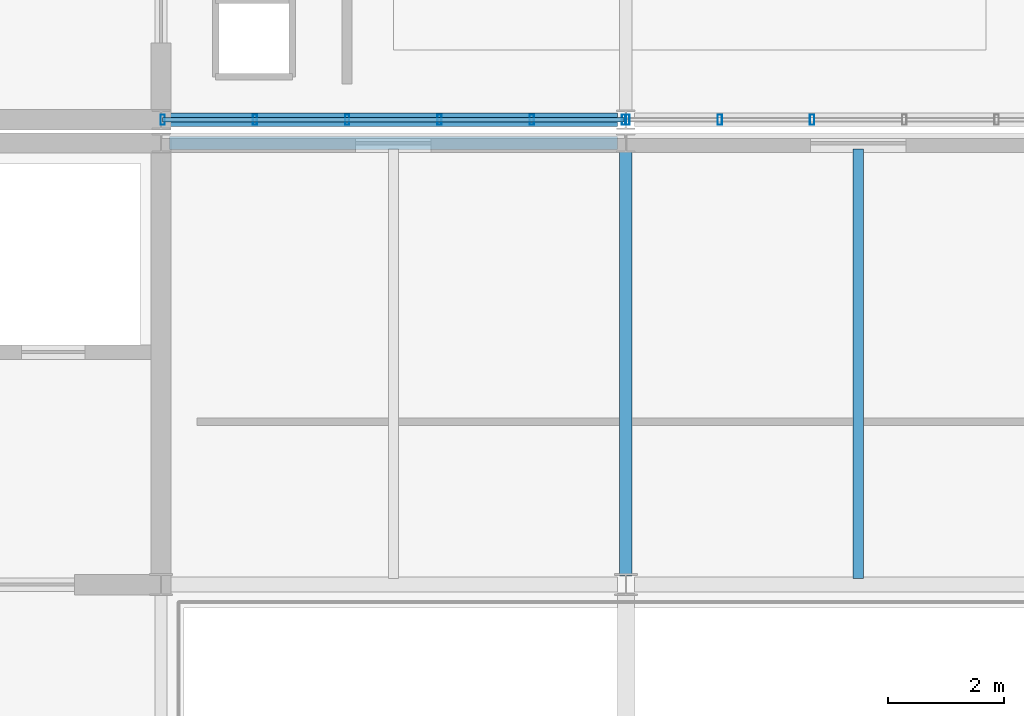
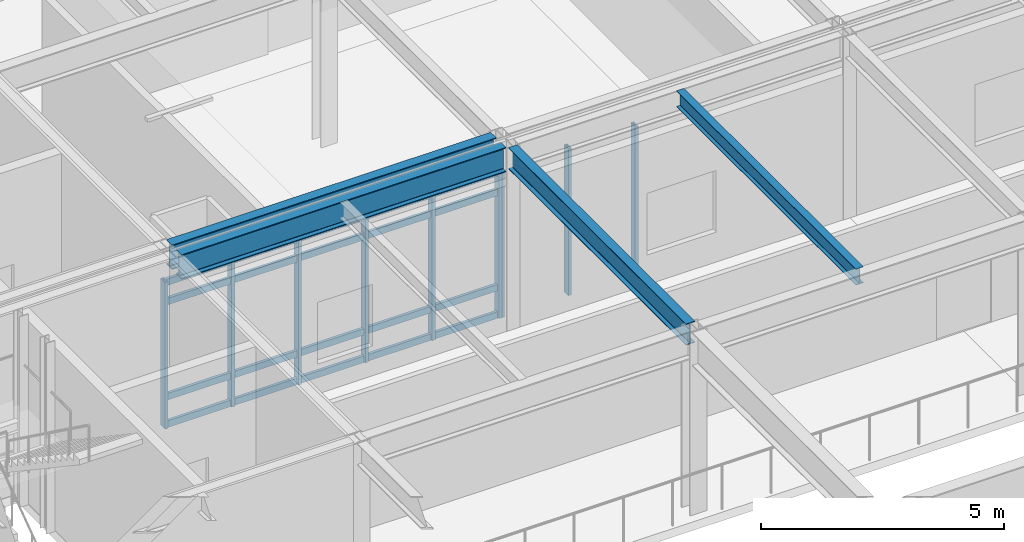
# One storey, part 62 of 104: 13 members, 4 beams, 2 elements without a shape of their own.
"""IFC4 building model written with IfcOpenShell, lengths in metres."""

from ifc_helpers import new_model, si_unit, direction, frame, origin, origin_2d, place, context, subcontext, project, spatial, hollow_rectangle, i_section, extrude, material, material_profile, profile_set, type_object, element, aggregate, save


model = new_model("IFC4")

# Units and contexts
model_context = context("Model", 3, precision=1e-05, world=origin(), true_north=direction((0.0, 1.0)))
body_context = subcontext(model_context, "Body", "Model", "MODEL_VIEW")
ifc_project = project(units=[si_unit("LENGTHUNIT", "METRE"), si_unit("AREAUNIT", "SQUARE_METRE"), si_unit("VOLUMEUNIT", "CUBIC_METRE"), si_unit("PLANEANGLEUNIT", "RADIAN"), si_unit("MASSUNIT", "GRAM", prefix="KILO")], contexts=[model_context])

# Site, building, storey
site_placement = place(None, origin())
site = spatial("IfcSite", under=ifc_project, at=site_placement, CompositionType="ELEMENT")
building_placement = place(site_placement, origin())
building = spatial("IfcBuilding", under=site, at=building_placement, Name="Zulena Civic Courthouse", CompositionType="ELEMENT")
storey_placement = place(building_placement, frame((0.0, 0.0, 10.800048828125)))
storey = spatial("IfcBuildingStorey", under=building, at=storey_placement, Name="L02", CompositionType="ELEMENT", Elevation=10.800048828125)

# Curtain wall, members
ifc_material_1 = material(Name="Double-silver low-E laminated solar-control glass", Category="glass")
curtain_wall_type = type_object("IfcCurtainWallType", Name="CW_7940x3690", PredefinedType="USERDEFINED", material=ifc_material_1)
curtain_wall_1_placement = place(storey_placement, origin())
curtain_wall_1 = element("IfcCurtainWall", 1, at=curtain_wall_1_placement, inside=storey, type_object=curtain_wall_type, Name="cw:V3:L02:3:3", ObjectType="UNITISED CURTAIN WALL", PredefinedType="USERDEFINED")
ifc_material_2 = material(Name="Bronze anodised thermally broken aluminium AA6063-T6", Category="aluminium")
ifc_material_profile_1 = material_profile(ifc_material_2, hollow_rectangle(XDim=0.074951171875, YDim=0.179931640625, WallThickness=0.0048828125, at=origin_2d()), Name="CWM180X75X5")
ifc_profile_set_1 = profile_set([ifc_material_profile_1], Name="Bronze anodised thermally broken aluminium AA6063-T6")
member_type_1 = type_object("IfcMemberType", Name="CWMullion_180x75", PredefinedType="MULLION", material=ifc_profile_set_1)
member_1_placement = place(storey_placement, frame((143.2060546875, 30.800048828125, 0.0), z_axis=(0.0, 0.0, 1.0), x_axis=(1.0, 0.0, 0.0)))
member_1 = element("IfcMember", 2, at=member_1_placement, type_object=member_type_1, Name="cw:V3:L02:3:3:mull:3", PredefinedType="MULLION", context=body_context, shape_type="SweptSolid", body=[
    extrude(hollow_rectangle(XDim=0.074951171875, YDim=0.179931640625, WallThickness=0.0048828125, at=origin_2d()), origin(), (0.0, 0.0, 1.0), 3.68994140625),
])
member_2_placement = place(storey_placement, frame((141.617919921875, 30.800048828125, 0.0), z_axis=(0.0, 0.0, 1.0), x_axis=(1.0, 0.0, 0.0)))
member_2 = element("IfcMember", 3, at=member_2_placement, type_object=member_type_1, Name="cw:V3:L02:3:3:mull:4", PredefinedType="MULLION", context=body_context, shape_type="SweptSolid", body=[
    extrude(hollow_rectangle(XDim=0.074951171875, YDim=0.179931640625, WallThickness=0.0048828125, at=origin_2d()), origin(), (0.0, 0.0, 1.0), 3.68994140625),
])
member_3_placement = place(storey_placement, frame((140.030029296875, 30.800048828125, 0.0), z_axis=(0.0, 0.0, 1.0), x_axis=(1.0, 0.0, 0.0)))
member_3 = element("IfcMember", 4, at=member_3_placement, type_object=member_type_1, Name="cw:V3:L02:3:3:mull:5", PredefinedType="MULLION", context=body_context, shape_type="SweptSolid", body=[
    extrude(hollow_rectangle(XDim=0.074951171875, YDim=0.179931640625, WallThickness=0.0048828125, at=origin_2d()), origin(), (0.0, 0.0, 1.0), 3.68994140625),
])
aggregate(curtain_wall_1, [member_1, member_2, member_3])

curtain_wall_2_placement = place(storey_placement, origin())
curtain_wall_2 = element("IfcCurtainWall", 5, at=curtain_wall_2_placement, inside=storey, type_object=curtain_wall_type, Name="cw:V3:L02:3:4", ObjectType="UNITISED CURTAIN WALL", PredefinedType="USERDEFINED")
member_4_placement = place(storey_placement, frame((139.969970703125, 30.800048828125, 0.0), z_axis=(0.0, 0.0, 1.0), x_axis=(1.0, 0.0, 0.0)))
member_4 = element("IfcMember", 6, at=member_4_placement, type_object=member_type_1, Name="cw:V3:L02:3:4:mull:0", PredefinedType="MULLION", context=body_context, shape_type="SweptSolid", body=[
    extrude(hollow_rectangle(XDim=0.074951171875, YDim=0.179931640625, WallThickness=0.0048828125, at=origin_2d()), origin(), (0.0, 0.0, 1.0), 3.68994140625),
])
member_5_placement = place(storey_placement, frame((138.382080078125, 30.800048828125, 0.0), z_axis=(0.0, 0.0, 1.0), x_axis=(1.0, 0.0, 0.0)))
member_5 = element("IfcMember", 7, at=member_5_placement, type_object=member_type_1, Name="cw:V3:L02:3:4:mull:1", PredefinedType="MULLION", context=body_context, shape_type="SweptSolid", body=[
    extrude(hollow_rectangle(XDim=0.074951171875, YDim=0.179931640625, WallThickness=0.0048828125, at=origin_2d()), origin(), (0.0, 0.0, 1.0), 3.68994140625),
])
member_6_placement = place(storey_placement, frame((136.7939453125, 30.800048828125, 0.0), z_axis=(0.0, 0.0, 1.0), x_axis=(1.0, 0.0, 0.0)))
member_6 = element("IfcMember", 8, at=member_6_placement, type_object=member_type_1, Name="cw:V3:L02:3:4:mull:2", PredefinedType="MULLION", context=body_context, shape_type="SweptSolid", body=[
    extrude(hollow_rectangle(XDim=0.074951171875, YDim=0.179931640625, WallThickness=0.0048828125, at=origin_2d()), origin(), (0.0, 0.0, 1.0), 3.68994140625),
])
member_7_placement = place(storey_placement, frame((135.2060546875, 30.800048828125, 0.0), z_axis=(0.0, 0.0, 1.0), x_axis=(1.0, 0.0, 0.0)))
member_7 = element("IfcMember", 9, at=member_7_placement, type_object=member_type_1, Name="cw:V3:L02:3:4:mull:3", PredefinedType="MULLION", context=body_context, shape_type="SweptSolid", body=[
    extrude(hollow_rectangle(XDim=0.074951171875, YDim=0.179931640625, WallThickness=0.0048828125, at=origin_2d()), origin(), (0.0, 0.0, 1.0), 3.68994140625),
])
member_8_placement = place(storey_placement, frame((133.617919921875, 30.800048828125, 0.0), z_axis=(0.0, 0.0, 1.0), x_axis=(1.0, 0.0, 0.0)))
member_8 = element("IfcMember", 10, at=member_8_placement, type_object=member_type_1, Name="cw:V3:L02:3:4:mull:4", PredefinedType="MULLION", context=body_context, shape_type="SweptSolid", body=[
    extrude(hollow_rectangle(XDim=0.074951171875, YDim=0.179931640625, WallThickness=0.0048828125, at=origin_2d()), origin(), (0.0, 0.0, 1.0), 3.68994140625),
])
member_9_placement = place(storey_placement, frame((132.030029296875, 30.800048828125, 0.0), z_axis=(0.0, 0.0, 1.0), x_axis=(1.0, 0.0, 0.0)))
member_9 = element("IfcMember", 11, at=member_9_placement, type_object=member_type_1, Name="cw:V3:L02:3:4:mull:5", PredefinedType="MULLION", context=body_context, shape_type="SweptSolid", body=[
    extrude(hollow_rectangle(XDim=0.074951171875, YDim=0.179931640625, WallThickness=0.0048828125, at=origin_2d()), origin(), (0.0, 0.0, 1.0), 3.68994140625),
])
ifc_material_profile_2 = material_profile(ifc_material_2, hollow_rectangle(XDim=0.070068359375, YDim=0.1650390625, WallThickness=0.00390625, at=origin_2d()), Name="CWT165X70X4")
ifc_profile_set_2 = profile_set([ifc_material_profile_2], Name="Bronze anodised thermally broken aluminium AA6063-T6")
member_type_2 = type_object("IfcMemberType", Name="CWTransom_165x70", PredefinedType="USERDEFINED", material=ifc_profile_set_2)
member_10_placement = place(storey_placement, frame((139.969970703125, 30.800048828125, 0.06005859375), z_axis=(-1.0, 0.0, 0.0), x_axis=(0.0, -1.0, 0.0)))
member_10 = element("IfcMember", 12, at=member_10_placement, type_object=member_type_2, Name="cw:V3:L02:3:4:tran:0", ObjectType="TRANSOM", PredefinedType="USERDEFINED", context=body_context, shape_type="SweptSolid", body=[
    extrude(hollow_rectangle(XDim=0.070068359375, YDim=0.1650390625, WallThickness=0.00390625, at=origin_2d()), origin(), (0.0, 0.0, 1.0), 7.93994140625),
])
member_11_placement = place(storey_placement, frame((139.969970703125, 30.800048828125, 0.75), z_axis=(-1.0, 0.0, 0.0), x_axis=(0.0, -1.0, 0.0)))
member_11 = element("IfcMember", 13, at=member_11_placement, type_object=member_type_2, Name="cw:V3:L02:3:4:tran:1", ObjectType="TRANSOM", PredefinedType="USERDEFINED", context=body_context, shape_type="SweptSolid", body=[
    extrude(hollow_rectangle(XDim=0.070068359375, YDim=0.1650390625, WallThickness=0.00390625, at=origin_2d()), origin(), (0.0, 0.0, 1.0), 7.93994140625),
])
member_12_placement = place(storey_placement, frame((139.969970703125, 30.800048828125, 3.139892578125), z_axis=(-1.0, 0.0, 0.0), x_axis=(0.0, -1.0, 0.0)))
member_12 = element("IfcMember", 14, at=member_12_placement, type_object=member_type_2, Name="cw:V3:L02:3:4:tran:2", ObjectType="TRANSOM", PredefinedType="USERDEFINED", context=body_context, shape_type="SweptSolid", body=[
    extrude(hollow_rectangle(XDim=0.070068359375, YDim=0.1650390625, WallThickness=0.00390625, at=origin_2d()), origin(), (0.0, 0.0, 1.0), 7.93994140625),
])
member_13_placement = place(storey_placement, frame((139.969970703125, 30.800048828125, 3.6298828125), z_axis=(-1.0, 0.0, 0.0), x_axis=(0.0, -1.0, 0.0)))
member_13 = element("IfcMember", 15, at=member_13_placement, type_object=member_type_2, Name="cw:V3:L02:3:4:tran:3", ObjectType="TRANSOM", PredefinedType="USERDEFINED", context=body_context, shape_type="SweptSolid", body=[
    extrude(hollow_rectangle(XDim=0.070068359375, YDim=0.1650390625, WallThickness=0.00390625, at=origin_2d()), origin(), (0.0, 0.0, 1.0), 7.93994140625),
])
aggregate(curtain_wall_2, [member_4, member_5, member_6, member_7, member_8, member_9, member_10, member_11, member_12, member_13])

# Beams
ifc_material_3 = material(Name="Steel ASTM A992 Grade 50", Category="steel")
ifc_material_profile_3 = material_profile(ifc_material_3, i_section(OverallWidth=0.177978515625, OverallDepth=0.406005859375, WebThickness=0.0078125, FlangeThickness=0.0126953125, FilletRadius=0.01025390625, at=origin_2d()), Name="W16X40")
ifc_profile_set_3 = profile_set([ifc_material_profile_3], Name="Steel ASTM A992 Grade 50")
beam_type_1 = type_object("IfcBeamType", Name="Joist_W16X40", PredefinedType="JOIST", material=ifc_profile_set_3)
beam_1_placement = place(storey_placement, frame((144.0, 22.905029296875, 4.386962890625), z_axis=(0.0, 1.0, 0.0), x_axis=(-1.0, 0.0, 0.0)))
element("IfcBeam", 16, at=beam_1_placement, inside=storey, type_object=beam_type_1, Name="joist:V1:L02:144.00:22.8_30.4", PredefinedType="JOIST", context=body_context, shape_type="SweptSolid", body=[
    extrude(i_section(OverallWidth=0.177978515625, OverallDepth=0.406005859375, WebThickness=0.0078125, FlangeThickness=0.0126953125, FilletRadius=0.01025390625, at=origin_2d()), origin(), (0.0, 0.0, 1.0), 7.389892578125),
])
ifc_material_profile_4 = material_profile(ifc_material_3, i_section(OverallWidth=0.2099609375, OverallDepth=0.537109375, WebThickness=0.010986328125, FlangeThickness=0.017333984375, FilletRadius=0.0126953125, at=origin_2d()), Name="W21X68")
ifc_profile_set_4 = profile_set([ifc_material_profile_4], Name="Steel ASTM A992 Grade 50")
beam_type_2 = type_object("IfcBeamType", Name="Spandrel_W21X68", PredefinedType="SPANDREL", material=ifc_profile_set_4)
beam_2_placement = place(storey_placement, frame((140.0, 22.945068359375, 4.321533203125), z_axis=(0.0, 1.0, 0.0), x_axis=(-1.0, 0.0, 0.0)))
element("IfcBeam", 17, at=beam_2_placement, inside=storey, type_object=beam_type_2, Name="beam:Y:V1:L02:140.0:22.8_30.4", PredefinedType="SPANDREL", context=body_context, shape_type="SweptSolid", body=[
    extrude(i_section(OverallWidth=0.2099609375, OverallDepth=0.537109375, WebThickness=0.010986328125, FlangeThickness=0.017333984375, FilletRadius=0.0126953125, at=origin_2d()), origin(), (0.0, 0.0, 1.0), 7.309814453125),
])
ifc_material_profile_5 = material_profile(ifc_material_3, i_section(OverallWidth=0.22998046875, OverallDepth=0.616943359375, WebThickness=0.01318359375, FlangeThickness=0.022216796875, FilletRadius=0.0126953125, at=origin_2d()), Name="W24X94")
ifc_profile_set_5 = profile_set([ifc_material_profile_5], Name="Steel ASTM A992 Grade 50")
beam_type_3 = type_object("IfcBeamType", Name="Spandrel_W24X94", PredefinedType="SPANDREL", material=ifc_profile_set_5)
for number, where, z_axis, x_axis, name in (
    (18, (132.14501953125, 30.39990234375, 4.281494140625), (1.0, 0.0, 0.0), (0.0, 1.0, 0.0), "beam:X:V1:L02:30.4:132.0_140.0"),
    (19, (132.14501953125, 30.800048828125, 4.281494140625), (1.0, 0.0, 0.0), (0.0, 1.0, 0.0), "beam:X:V3:L02:30.8:132.0_140.0"),
):
    element("IfcBeam", number, at=place(storey_placement, frame(where, z_axis=z_axis, x_axis=x_axis)), inside=storey, type_object=beam_type_3, Name=name, PredefinedType="SPANDREL", context=body_context, shape_type="SweptSolid", body=[
        extrude(i_section(OverallWidth=0.22998046875, OverallDepth=0.616943359375, WebThickness=0.01318359375, FlangeThickness=0.022216796875, FilletRadius=0.0126953125, at=origin_2d()), origin(), (0.0, 0.0, 1.0), 7.7099609375),
    ])

save(model, "model.ifc")
